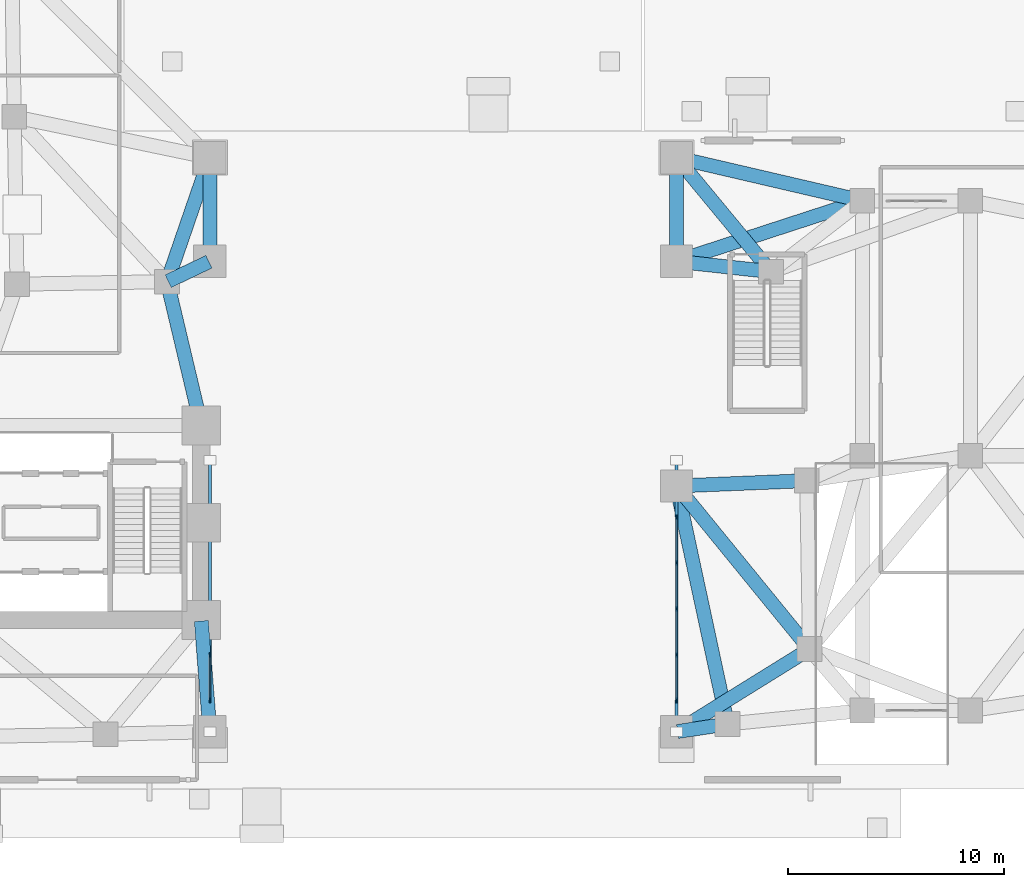
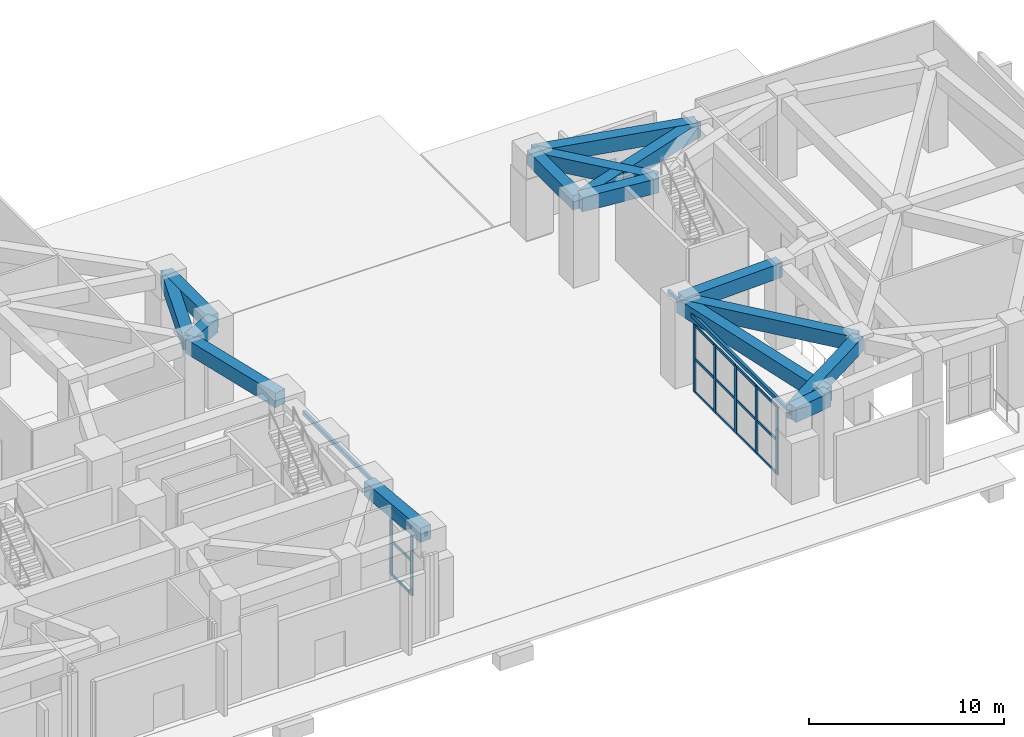
# One storey, part 2 of 19: 24 members, 15 beams, 2 elements without a shape of their own.
"""IFC4 building model written with IfcOpenShell, lengths in metres."""

from ifc_helpers import new_model, si_unit, direction, frame, origin, origin_2d, place, context, subcontext, project, spatial, rectangle, hollow_rectangle, extrude, material, material_profile, profile_set, type_object, element, aggregate, save


model = new_model("IFC4")

# Units and contexts
model_context = context("Model", 3, precision=1e-05, world=origin(), true_north=direction((0.0, 1.0)))
body_context = subcontext(model_context, "Body", "Model", "MODEL_VIEW")
ifc_project = project(units=[si_unit("LENGTHUNIT", "METRE"), si_unit("AREAUNIT", "SQUARE_METRE"), si_unit("VOLUMEUNIT", "CUBIC_METRE"), si_unit("PLANEANGLEUNIT", "RADIAN"), si_unit("MASSUNIT", "GRAM", prefix="KILO")], contexts=[model_context])

# Site, building, storey
site_placement = place(None, origin())
site = spatial("IfcSite", under=ifc_project, at=site_placement, CompositionType="ELEMENT")
building_placement = place(site_placement, origin())
building = spatial("IfcBuilding", under=site, at=building_placement, Name="Gaonmaruhae Medical Tower", CompositionType="ELEMENT")
storey_placement = place(building_placement, origin())
storey = spatial("IfcBuildingStorey", under=building, at=storey_placement, Name="L00", CompositionType="ELEMENT", Elevation=0.0)

# Curtain wall, members
ifc_material_1 = material(Name="Anodised aluminium and Low-E double glazing", Category="aluminium")
curtain_wall_type = type_object("IfcCurtainWallType", Name="CW-S1 Portal Arch Concourse Curtain Wall", PredefinedType="NOTDEFINED", material=ifc_material_1)
curtain_wall_1_placement = place(storey_placement, origin())
curtain_wall_1 = element("IfcCurtainWall", 1, at=curtain_wall_1_placement, inside=storey, type_object=curtain_wall_type, Name="L00 Curtain Wall CW-L00-S1W", PredefinedType="NOTDEFINED")
ifc_material_2 = material(Name="Anodised aluminium 6063-T6", Category="aluminium")
ifc_material_profile_1 = material_profile(ifc_material_2, rectangle(XDim=0.074951171875, YDim=0.219970703125, at=origin_2d()), Name="CWM-75x220")
ifc_profile_set_1 = profile_set([ifc_material_profile_1], Name="Anodised aluminium 6063-T6")
member_type_1 = type_object("IfcMemberType", Name="CWM-1 Heavy Atrium Curtain Wall Mullion (CWM-75x220)", PredefinedType="MULLION", material=ifc_profile_set_1)
member_1_placement = place(storey_placement, frame((36.0, 4.084228515625, 0.0), z_axis=(0.0, 0.0, 1.0), x_axis=(-1.0, 0.0, 0.0)))
member_1 = element("IfcMember", 2, at=member_1_placement, type_object=member_type_1, Name="CW-S1 mullion 1", PredefinedType="MULLION", context=body_context, shape_type="SweptSolid", body=[
    extrude(rectangle(XDim=0.074951171875, YDim=0.219970703125, at=origin_2d()), origin(), (0.0, 0.0, 1.0), 4.22998046875),
])
member_2_placement = place(storey_placement, frame((36.0, 6.179443359375, 0.0), z_axis=(0.0, 0.0, 1.0), x_axis=(-1.0, 0.0, 0.0)))
member_2 = element("IfcMember", 3, at=member_2_placement, type_object=member_type_1, Name="CW-S1 mullion 2", PredefinedType="MULLION", context=body_context, shape_type="SweptSolid", body=[
    extrude(rectangle(XDim=0.074951171875, YDim=0.219970703125, at=origin_2d()), origin(), (0.0, 0.0, 1.0), 4.22998046875),
])

curtain_wall_2_placement = place(storey_placement, origin())
curtain_wall_2 = element("IfcCurtainWall", 4, at=curtain_wall_2_placement, inside=storey, type_object=curtain_wall_type, Name="L00 Curtain Wall CW-L00-S1E", PredefinedType="NOTDEFINED")
member_3_placement = place(storey_placement, frame((57.60009765625, 4.084228515625, 0.0), z_axis=(0.0, 0.0, 1.0), x_axis=(-1.0, 0.0, 0.0)))
member_3 = element("IfcMember", 5, at=member_3_placement, type_object=member_type_1, Name="CW-S1 mullion 1", PredefinedType="MULLION", context=body_context, shape_type="SweptSolid", body=[
    extrude(rectangle(XDim=0.074951171875, YDim=0.219970703125, at=origin_2d()), origin(), (0.0, 0.0, 1.0), 4.22998046875),
])
member_4_placement = place(storey_placement, frame((57.60009765625, 6.179931640625, 0.0), z_axis=(0.0, 0.0, 1.0), x_axis=(-1.0, 0.0, 0.0)))
member_4 = element("IfcMember", 6, at=member_4_placement, type_object=member_type_1, Name="CW-S1 mullion 2", PredefinedType="MULLION", context=body_context, shape_type="SweptSolid", body=[
    extrude(rectangle(XDim=0.074951171875, YDim=0.219970703125, at=origin_2d()), origin(), (0.0, 0.0, 1.0), 4.22998046875),
])
member_5_placement = place(storey_placement, frame((57.60009765625, 8.31298828125, 0.0), z_axis=(0.0, 0.0, 1.0), x_axis=(-1.0, 0.0, 0.0)))
member_5 = element("IfcMember", 7, at=member_5_placement, type_object=member_type_1, Name="CW-S1 mullion 3", PredefinedType="MULLION", context=body_context, shape_type="SweptSolid", body=[
    extrude(rectangle(XDim=0.074951171875, YDim=0.219970703125, at=origin_2d()), origin(), (0.0, 0.0, 1.0), 4.22998046875),
])
member_6_placement = place(storey_placement, frame((57.60009765625, 10.446044921875, 0.0), z_axis=(0.0, 0.0, 1.0), x_axis=(-1.0, 0.0, 0.0)))
member_6 = element("IfcMember", 8, at=member_6_placement, type_object=member_type_1, Name="CW-S1 mullion 4", PredefinedType="MULLION", context=body_context, shape_type="SweptSolid", body=[
    extrude(rectangle(XDim=0.074951171875, YDim=0.219970703125, at=origin_2d()), origin(), (0.0, 0.0, 1.0), 4.22998046875),
])
member_7_placement = place(storey_placement, frame((57.60009765625, 12.541748046875, 0.0), z_axis=(0.0, 0.0, 1.0), x_axis=(-1.0, 0.0, 0.0)))
member_7 = element("IfcMember", 9, at=member_7_placement, type_object=member_type_1, Name="CW-S1 mullion 5", PredefinedType="MULLION", context=body_context, shape_type="SweptSolid", body=[
    extrude(rectangle(XDim=0.074951171875, YDim=0.219970703125, at=origin_2d()), origin(), (0.0, 0.0, 1.0), 4.22998046875),
])

# Member
ifc_material_profile_2 = material_profile(ifc_material_2, rectangle(XDim=0.074951171875, YDim=0.159912109375, at=origin_2d()), Name="CWT-75x160")
ifc_profile_set_2 = profile_set([ifc_material_profile_2], Name="Anodised aluminium 6063-T6")
member_type_2 = type_object("IfcMemberType", Name="CWT-1 Heavy Atrium Curtain Wall Transom (CWT-75x160)", PredefinedType="USERDEFINED", material=ifc_profile_set_2)
member_8_placement = place(storey_placement, frame((36.0, 4.12158203125, 0.03759765625), z_axis=(0.0, 1.0, 0.0), x_axis=(-1.0, 0.0, 0.0)))
member_8 = element("IfcMember", 10, at=member_8_placement, type_object=member_type_2, Name="CW-S1 transom 1.1", ObjectType="TRANSOM", PredefinedType="USERDEFINED", context=body_context, shape_type="SweptSolid", body=[
    extrude(rectangle(XDim=0.074951171875, YDim=0.159912109375, at=origin_2d()), origin(), (0.0, 0.0, 1.0), 2.0205078125),
])

member_9_placement = place(storey_placement, frame((36.0, 4.12158203125, 2.114990234375), z_axis=(0.0, 1.0, 0.0), x_axis=(-1.0, 0.0, 0.0)))
member_9 = element("IfcMember", 11, at=member_9_placement, type_object=member_type_2, Name="CW-S1 transom 1.2", ObjectType="TRANSOM", PredefinedType="USERDEFINED", context=body_context, shape_type="SweptSolid", body=[
    extrude(rectangle(XDim=0.074951171875, YDim=0.159912109375, at=origin_2d()), origin(), (0.0, 0.0, 1.0), 2.0205078125),
])

member_10_placement = place(storey_placement, frame((36.0, 4.12158203125, 4.1923828125), z_axis=(0.0, 1.0, 0.0), x_axis=(-1.0, 0.0, 0.0)))
member_10 = element("IfcMember", 12, at=member_10_placement, type_object=member_type_2, Name="CW-S1 transom 1.3", ObjectType="TRANSOM", PredefinedType="USERDEFINED", context=body_context, shape_type="SweptSolid", body=[
    extrude(rectangle(XDim=0.074951171875, YDim=0.159912109375, at=origin_2d()), origin(), (0.0, 0.0, 1.0), 2.0205078125),
])

aggregate(curtain_wall_1, [member_1, member_2, member_8, member_9, member_10])

member_11_placement = place(storey_placement, frame((57.60009765625, 4.12158203125, 0.03759765625), z_axis=(0.0, 1.0, 0.0), x_axis=(-1.0, 0.0, 0.0)))
member_11 = element("IfcMember", 13, at=member_11_placement, type_object=member_type_2, Name="CW-S1 transom 1.1", ObjectType="TRANSOM", PredefinedType="USERDEFINED", context=body_context, shape_type="SweptSolid", body=[
    extrude(rectangle(XDim=0.074951171875, YDim=0.159912109375, at=origin_2d()), origin(), (0.0, 0.0, 1.0), 2.020751953125),
])

member_12_placement = place(storey_placement, frame((57.60009765625, 4.12158203125, 2.114990234375), z_axis=(0.0, 1.0, 0.0), x_axis=(-1.0, 0.0, 0.0)))
member_12 = element("IfcMember", 14, at=member_12_placement, type_object=member_type_2, Name="CW-S1 transom 1.2", ObjectType="TRANSOM", PredefinedType="USERDEFINED", context=body_context, shape_type="SweptSolid", body=[
    extrude(rectangle(XDim=0.074951171875, YDim=0.159912109375, at=origin_2d()), origin(), (0.0, 0.0, 1.0), 2.020751953125),
])

member_13_placement = place(storey_placement, frame((57.60009765625, 4.12158203125, 4.1923828125), z_axis=(0.0, 1.0, 0.0), x_axis=(-1.0, 0.0, 0.0)))
member_13 = element("IfcMember", 15, at=member_13_placement, type_object=member_type_2, Name="CW-S1 transom 1.3", ObjectType="TRANSOM", PredefinedType="USERDEFINED", context=body_context, shape_type="SweptSolid", body=[
    extrude(rectangle(XDim=0.074951171875, YDim=0.159912109375, at=origin_2d()), origin(), (0.0, 0.0, 1.0), 2.020751953125),
])

member_14_placement = place(storey_placement, frame((57.60009765625, 6.21728515625, 0.03759765625), z_axis=(0.0, 1.0, 0.0), x_axis=(-1.0, 0.0, 0.0)))
member_14 = element("IfcMember", 16, at=member_14_placement, type_object=member_type_2, Name="CW-S1 transom 2.1", ObjectType="TRANSOM", PredefinedType="USERDEFINED", context=body_context, shape_type="SweptSolid", body=[
    extrude(rectangle(XDim=0.074951171875, YDim=0.159912109375, at=origin_2d()), origin(), (0.0, 0.0, 1.0), 2.05810546875),
])

member_15_placement = place(storey_placement, frame((57.60009765625, 6.21728515625, 2.114990234375), z_axis=(0.0, 1.0, 0.0), x_axis=(-1.0, 0.0, 0.0)))
member_15 = element("IfcMember", 17, at=member_15_placement, type_object=member_type_2, Name="CW-S1 transom 2.2", ObjectType="TRANSOM", PredefinedType="USERDEFINED", context=body_context, shape_type="SweptSolid", body=[
    extrude(rectangle(XDim=0.074951171875, YDim=0.159912109375, at=origin_2d()), origin(), (0.0, 0.0, 1.0), 2.05810546875),
])

member_16_placement = place(storey_placement, frame((57.60009765625, 6.21728515625, 4.1923828125), z_axis=(0.0, 1.0, 0.0), x_axis=(-1.0, 0.0, 0.0)))
member_16 = element("IfcMember", 18, at=member_16_placement, type_object=member_type_2, Name="CW-S1 transom 2.3", ObjectType="TRANSOM", PredefinedType="USERDEFINED", context=body_context, shape_type="SweptSolid", body=[
    extrude(rectangle(XDim=0.074951171875, YDim=0.159912109375, at=origin_2d()), origin(), (0.0, 0.0, 1.0), 2.05810546875),
])

member_17_placement = place(storey_placement, frame((57.60009765625, 8.3505859375, 0.03759765625), z_axis=(0.0, 1.0, 0.0), x_axis=(-1.0, 0.0, 0.0)))
member_17 = element("IfcMember", 19, at=member_17_placement, type_object=member_type_2, Name="CW-S1 transom 3.1", ObjectType="TRANSOM", PredefinedType="USERDEFINED", context=body_context, shape_type="SweptSolid", body=[
    extrude(rectangle(XDim=0.074951171875, YDim=0.159912109375, at=origin_2d()), origin(), (0.0, 0.0, 1.0), 2.05810546875),
])

member_18_placement = place(storey_placement, frame((57.60009765625, 8.3505859375, 2.114990234375), z_axis=(0.0, 1.0, 0.0), x_axis=(-1.0, 0.0, 0.0)))
member_18 = element("IfcMember", 20, at=member_18_placement, type_object=member_type_2, Name="CW-S1 transom 3.2", ObjectType="TRANSOM", PredefinedType="USERDEFINED", context=body_context, shape_type="SweptSolid", body=[
    extrude(rectangle(XDim=0.074951171875, YDim=0.159912109375, at=origin_2d()), origin(), (0.0, 0.0, 1.0), 2.05810546875),
])

member_19_placement = place(storey_placement, frame((57.60009765625, 8.3505859375, 4.1923828125), z_axis=(0.0, 1.0, 0.0), x_axis=(-1.0, 0.0, 0.0)))
member_19 = element("IfcMember", 21, at=member_19_placement, type_object=member_type_2, Name="CW-S1 transom 3.3", ObjectType="TRANSOM", PredefinedType="USERDEFINED", context=body_context, shape_type="SweptSolid", body=[
    extrude(rectangle(XDim=0.074951171875, YDim=0.159912109375, at=origin_2d()), origin(), (0.0, 0.0, 1.0), 2.05810546875),
])

member_20_placement = place(storey_placement, frame((57.60009765625, 10.483642578125, 0.03759765625), z_axis=(0.0, 1.0, 0.0), x_axis=(-1.0, 0.0, 0.0)))
member_20 = element("IfcMember", 22, at=member_20_placement, type_object=member_type_2, Name="CW-S1 transom 4.1", ObjectType="TRANSOM", PredefinedType="USERDEFINED", context=body_context, shape_type="SweptSolid", body=[
    extrude(rectangle(XDim=0.074951171875, YDim=0.159912109375, at=origin_2d()), origin(), (0.0, 0.0, 1.0), 2.020751953125),
])

member_21_placement = place(storey_placement, frame((57.60009765625, 10.483642578125, 2.114990234375), z_axis=(0.0, 1.0, 0.0), x_axis=(-1.0, 0.0, 0.0)))
member_21 = element("IfcMember", 23, at=member_21_placement, type_object=member_type_2, Name="CW-S1 transom 4.2", ObjectType="TRANSOM", PredefinedType="USERDEFINED", context=body_context, shape_type="SweptSolid", body=[
    extrude(rectangle(XDim=0.074951171875, YDim=0.159912109375, at=origin_2d()), origin(), (0.0, 0.0, 1.0), 2.020751953125),
])

member_22_placement = place(storey_placement, frame((57.60009765625, 10.483642578125, 4.1923828125), z_axis=(0.0, 1.0, 0.0), x_axis=(-1.0, 0.0, 0.0)))
member_22 = element("IfcMember", 24, at=member_22_placement, type_object=member_type_2, Name="CW-S1 transom 4.3", ObjectType="TRANSOM", PredefinedType="USERDEFINED", context=body_context, shape_type="SweptSolid", body=[
    extrude(rectangle(XDim=0.074951171875, YDim=0.159912109375, at=origin_2d()), origin(), (0.0, 0.0, 1.0), 2.020751953125),
])

aggregate(curtain_wall_2, [member_3, member_4, member_5, member_6, member_7, member_11, member_12, member_13, member_14, member_15, member_16, member_17, member_18, member_19, member_20, member_21, member_22])

# Members
ifc_material_3 = material(Name="Steel SM355", Category="steel")
ifc_material_profile_3 = material_profile(ifc_material_3, hollow_rectangle(XDim=0.14990234375, YDim=0.25, WallThickness=0.009033203125, at=origin_2d()), Name="RHS-250x150x9")
ifc_profile_set_3 = profile_set([ifc_material_profile_3], Name="Steel SM355")
member_type_3 = type_object("IfcMemberType", Name="PR-02 Entrance Arch Canopy Purlin (RHS-250x150x9)", PredefinedType="PURLIN", material=ifc_profile_set_3)
for number, where, z_axis, x_axis, name in (
    (25, (36.0, 2.6259765625, 4.699951171875), (0.0, 1.0, 0.0), (-1.0, 0.0, 0.0), "L00 Portal Canopy Purlin PR01"),
    (26, (57.60009765625, 2.6259765625, 4.699951171875), (0.0, 1.0, 0.0), (-1.0, 0.0, 0.0), "L00 Portal Canopy Purlin PR02"),
):
    element("IfcMember", number, at=place(storey_placement, frame(where, z_axis=z_axis, x_axis=x_axis)), inside=storey, type_object=member_type_3, Name=name, PredefinedType="PURLIN", context=body_context, shape_type="SweptSolid", body=[
        extrude(hollow_rectangle(XDim=0.14990234375, YDim=0.25, WallThickness=0.009033203125, at=origin_2d()), origin(), (0.0, 0.0, 1.0), 12.553955078125),
    ])

# Beams
ifc_material_4 = material(Name="Concrete C50/60", Category="concrete")
ifc_material_profile_4 = material_profile(ifc_material_4, rectangle(XDim=0.64990234375, YDim=0.89990234375, at=origin_2d()), Name="RCG-650x900")
ifc_profile_set_4 = profile_set([ifc_material_profile_4], Name="Concrete C50/60")
beam_type = type_object("IfcBeamType", Name="RG-01 Podium Primary RC Girder (RCG-650x900)", PredefinedType="BEAM", material=ifc_profile_set_4)
beam_1_placement = place(storey_placement, frame((35.99609375, 2.67578125, 4.699951171875), z_axis=(-0.077085319769, 0.997024499938, 0.0), x_axis=(-0.997024499938, -0.077085319769, 0.0)))
element("IfcBeam", 27, at=beam_1_placement, inside=storey, type_object=beam_type, Name="L00 Beam BM-L00-PG002", PredefinedType="BEAM", context=body_context, shape_type="SweptSolid", body=[
    extrude(rectangle(XDim=0.64990234375, YDim=0.89990234375, at=origin_2d()), origin(), (0.0, 0.0, 1.0), 5.089599609375),
])
beam_2_placement = place(storey_placement, frame((57.6494140625, 2.633544921875, 4.699951171875), z_axis=(0.988739394413, 0.149647619213, 0.0), x_axis=(-0.149647619213, 0.988739394413, 0.0)))
element("IfcBeam", 28, at=beam_2_placement, inside=storey, type_object=beam_type, Name="L00 Beam BM-L00-PG003", PredefinedType="BEAM", context=body_context, shape_type="SweptSolid", body=[
    extrude(rectangle(XDim=0.64990234375, YDim=0.89990234375, at=origin_2d()), origin(), (0.0, 0.0, 1.0), 2.292236328125),
])
beam_3_placement = place(storey_placement, frame((57.642578125, 2.65234375, 4.699951171875), z_axis=(0.849690298429, 0.527282084614, 0.0), x_axis=(-0.527282084614, 0.849690298429, 0.0)))
element("IfcBeam", 29, at=beam_3_placement, inside=storey, type_object=beam_type, Name="L00 Beam BM-L00-PG004", PredefinedType="BEAM", context=body_context, shape_type="SweptSolid", body=[
    extrude(rectangle(XDim=0.64990234375, YDim=0.89990234375, at=origin_2d()), origin(), (0.0, 0.0, 1.0), 7.147705078125),
])
beam_4_placement = place(storey_placement, frame((57.64990234375, 14.001953125, 4.699951171875), z_axis=(0.999165142421, 0.04085361881, 0.0), x_axis=(-0.04085361881, 0.999165142421, 0.0)))
element("IfcBeam", 30, at=beam_4_placement, inside=storey, type_object=beam_type, Name="L00 Beam BM-L00-PG005", PredefinedType="BEAM", context=body_context, shape_type="SweptSolid", body=[
    extrude(rectangle(XDim=0.64990234375, YDim=0.89990234375, at=origin_2d()), origin(), (0.0, 0.0, 1.0), 5.93408203125),
])
beam_5_placement = place(storey_placement, frame((57.631591796875, 13.961181640625, 4.699951171875), z_axis=(0.631959132542, -0.77500171277, 0.0), x_axis=(0.77500171277, 0.631959132542, 0.0)))
element("IfcBeam", 31, at=beam_5_placement, inside=storey, type_object=beam_type, Name="L00 Beam BM-L00-PG006", PredefinedType="BEAM", context=body_context, shape_type="SweptSolid", body=[
    extrude(rectangle(XDim=0.64990234375, YDim=0.89990234375, at=origin_2d()), origin(), (0.0, 0.0, 1.0), 9.64501953125),
])
beam_6_placement = place(storey_placement, frame((35.954833984375, 24.37841796875, 4.699951171875), z_axis=(-0.902607868555, -0.430463744841, 0.0), x_axis=(0.430463744841, -0.902607868555, 0.0)))
element("IfcBeam", 32, at=beam_6_placement, inside=storey, type_object=beam_type, Name="L00 Beam BM-L00-PG007", PredefinedType="BEAM", context=body_context, shape_type="SweptSolid", body=[
    extrude(rectangle(XDim=0.64990234375, YDim=0.89990234375, at=origin_2d()), origin(), (0.0, 0.0, 1.0), 2.091064453125),
])
beam_7_placement = place(storey_placement, frame((36.0, 24.449951171875, 4.699951171875), z_axis=(0.0, 1.0, 0.0), x_axis=(-1.0, 0.0, 0.0)))
element("IfcBeam", 33, at=beam_7_placement, inside=storey, type_object=beam_type, Name="L00 Beam BM-L00-PG008", PredefinedType="BEAM", context=body_context, shape_type="SweptSolid", body=[
    extrude(rectangle(XDim=0.64990234375, YDim=0.89990234375, at=origin_2d()), origin(), (0.0, 0.0, 1.0), 4.699951171875),
])
beam_8_placement = place(storey_placement, frame((57.649658203125, 24.39453125, 4.699951171875), z_axis=(0.994019545115, -0.109202307341, 0.0), x_axis=(0.109202307341, 0.994019545115, 0.0)))
element("IfcBeam", 34, at=beam_8_placement, inside=storey, type_object=beam_type, Name="L00 Beam BM-L00-PG009", PredefinedType="BEAM", context=body_context, shape_type="SweptSolid", body=[
    extrude(rectangle(XDim=0.64990234375, YDim=0.89990234375, at=origin_2d()), origin(), (0.0, 0.0, 1.0), 4.294677734375),
])
beam_9_placement = place(storey_placement, frame((57.60009765625, 24.449951171875, 4.699951171875), z_axis=(0.0, 1.0, 0.0), x_axis=(-1.0, 0.0, 0.0)))
element("IfcBeam", 35, at=beam_9_placement, inside=storey, type_object=beam_type, Name="L00 Beam BM-L00-PG010", PredefinedType="BEAM", context=body_context, shape_type="SweptSolid", body=[
    extrude(rectangle(XDim=0.64990234375, YDim=0.89990234375, at=origin_2d()), origin(), (0.0, 0.0, 1.0), 4.699951171875),
])
beam_10_placement = place(storey_placement, frame((35.983642578125, 29.15283203125, 4.699951171875), z_axis=(-0.325578822882, -0.945514902099, 0.0), x_axis=(0.945514902099, -0.325578822882, 0.0)))
element("IfcBeam", 36, at=beam_10_placement, inside=storey, type_object=beam_type, Name="L00 Beam BM-L00-PG011", PredefinedType="BEAM", context=body_context, shape_type="SweptSolid", body=[
    extrude(rectangle(XDim=0.64990234375, YDim=0.89990234375, at=origin_2d()), origin(), (0.0, 0.0, 1.0), 5.97412109375),
])
beam_11_placement = place(storey_placement, frame((57.6318359375, 29.161376953125, 4.699951171875), z_axis=(0.63748483708, -0.770462901439, 0.0), x_axis=(0.770462901439, 0.63748483708, 0.0)))
element("IfcBeam", 37, at=beam_11_placement, inside=storey, type_object=beam_type, Name="L00 Beam BM-L00-PG013", PredefinedType="BEAM", context=body_context, shape_type="SweptSolid", body=[
    extrude(rectangle(XDim=0.64990234375, YDim=0.89990234375, at=origin_2d()), origin(), (0.0, 0.0, 1.0), 6.752685546875),
])
beam_12_placement = place(storey_placement, frame((57.648681640625, 29.188720703125, 4.699951171875), z_axis=(0.974009892436, -0.226505473306, 0.0), x_axis=(0.226505473306, 0.974009892436, 0.0)))
element("IfcBeam", 38, at=beam_12_placement, inside=storey, type_object=beam_type, Name="L00 Beam BM-L00-PG014", PredefinedType="BEAM", context=body_context, shape_type="SweptSolid", body=[
    extrude(rectangle(XDim=0.64990234375, YDim=0.89990234375, at=origin_2d()), origin(), (0.0, 0.0, 1.0), 8.7294921875),
])
beam_13_placement = place(storey_placement, frame((59.954833984375, 3.032958984375, 4.699951171875), z_axis=(-0.209924731401, 0.977717549779, 0.0), x_axis=(-0.977717549779, -0.209924731401, 0.0)))
element("IfcBeam", 39, at=beam_13_placement, inside=storey, type_object=beam_type, Name="L00 Beam BM-L00-PG024", PredefinedType="BEAM", context=body_context, shape_type="SweptSolid", body=[
    extrude(rectangle(XDim=0.64990234375, YDim=0.89990234375, at=origin_2d()), origin(), (0.0, 0.0, 1.0), 11.1669921875),
])
beam_14_placement = place(storey_placement, frame((34.033935546875, 23.408203125, 4.699951171875), z_axis=(0.230587307936, -0.973051639647, 0.0), x_axis=(0.973051639647, 0.230587307936, 0.0)))
element("IfcBeam", 40, at=beam_14_placement, inside=storey, type_object=beam_type, Name="L00 Beam BM-L00-PG031", PredefinedType="BEAM", context=body_context, shape_type="SweptSolid", body=[
    extrude(rectangle(XDim=0.64990234375, YDim=0.89990234375, at=origin_2d()), origin(), (0.0, 0.0, 1.0), 6.7412109375),
])
beam_15_placement = place(storey_placement, frame((66.15234375, 27.1845703125, 4.699951171875), z_axis=(-0.950871057756, -0.309587195346, 0.0), x_axis=(0.309587195346, -0.950871057756, 0.0)))
element("IfcBeam", 41, at=beam_15_placement, inside=storey, type_object=beam_type, Name="L00 Beam BM-L00-PG067", PredefinedType="BEAM", context=body_context, shape_type="SweptSolid", body=[
    extrude(rectangle(XDim=0.64990234375, YDim=0.89990234375, at=origin_2d()), origin(), (0.0, 0.0, 1.0), 8.9443359375),
])

save(model, "model.ifc")
